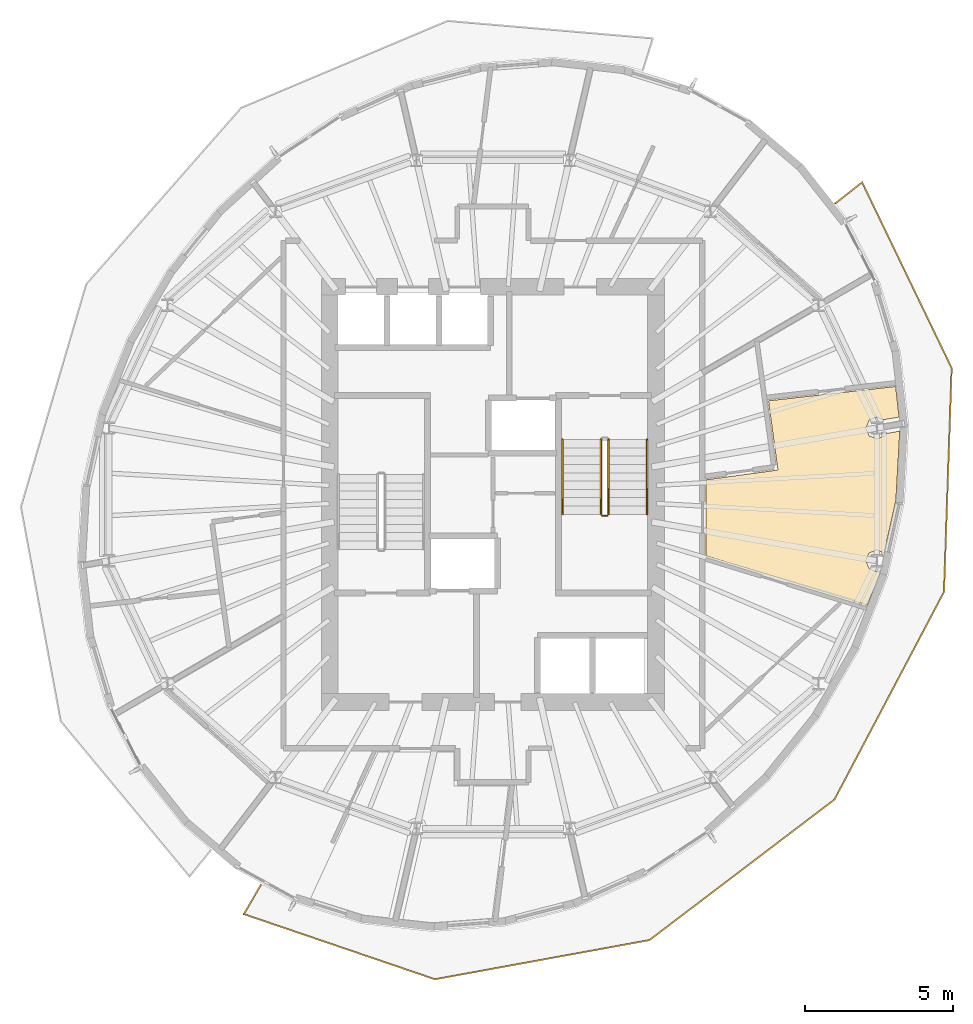
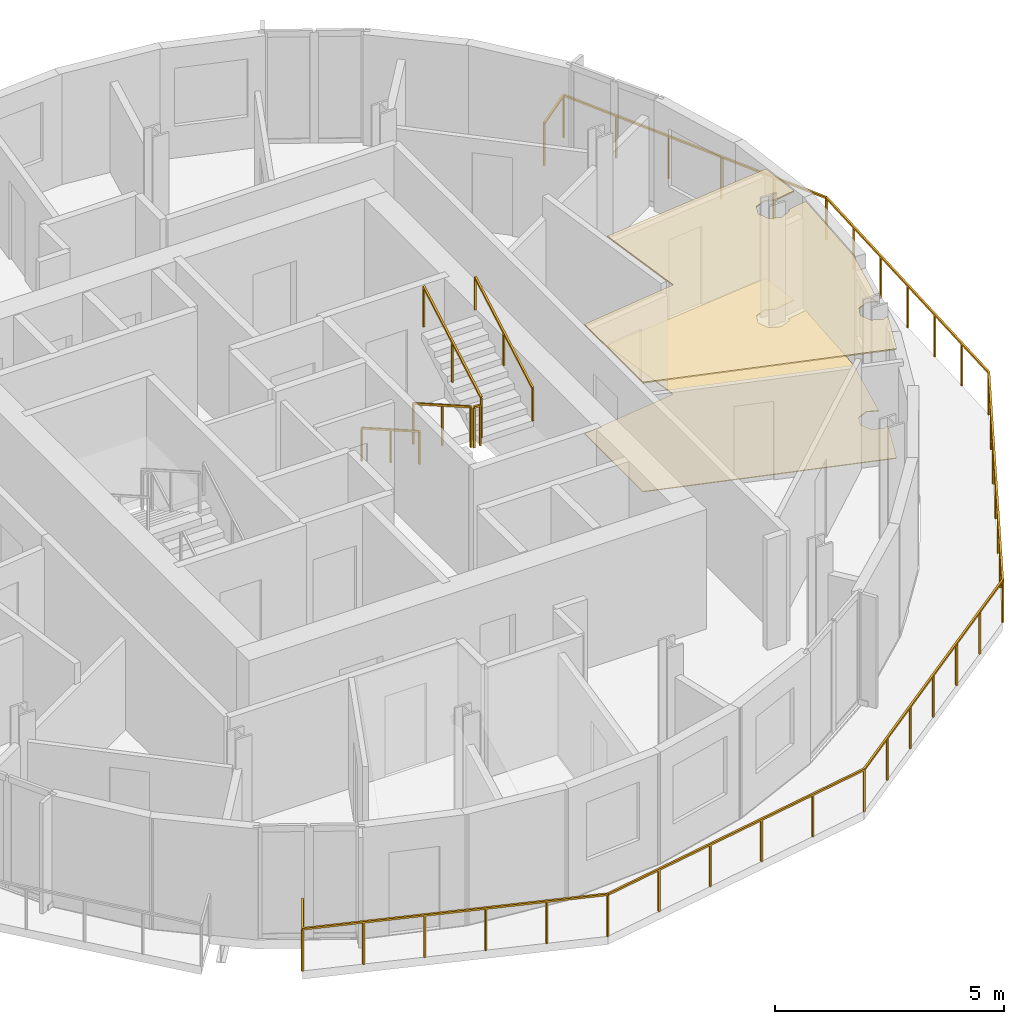
# One storey, part 9 of 11: 6 railings, 2 coverings.
"""IFC4 building model written with IfcOpenShell, lengths in metres."""

from ifc_helpers import new_model, si_unit, direction, frame, origin, origin_2d, place, context, subcontext, project, spatial, polyline, rectangle, outline, extrude, material, layer, layer_set, type_object, element, save


model = new_model("IFC4")

# Units and contexts
model_context = context("Model", 3, precision=1e-05, world=origin(), true_north=direction((0.0, 1.0)))
body_context = subcontext(model_context, "Body", "Model", "MODEL_VIEW")
ifc_project = project(units=[si_unit("LENGTHUNIT", "METRE"), si_unit("AREAUNIT", "SQUARE_METRE"), si_unit("VOLUMEUNIT", "CUBIC_METRE"), si_unit("PLANEANGLEUNIT", "RADIAN"), si_unit("MASSUNIT", "GRAM", prefix="KILO")], contexts=[model_context])

# Site, building, storey
site_placement = place(None, origin())
site = spatial("IfcSite", under=ifc_project, at=site_placement, CompositionType="ELEMENT")
building_placement = place(site_placement, origin())
building = spatial("IfcBuilding", under=site, at=building_placement, Name="Veldorim Arch Residences", CompositionType="ELEMENT")
storey_placement = place(building_placement, frame((0.0, 0.0, 223.840087890625)))
storey = spatial("IfcBuildingStorey", under=building, at=storey_placement, Name="L67", CompositionType="ELEMENT", Elevation=223.840087890625)

# Railings
ifc_material_1 = material(Name="Aluminium", Category="aluminium")
railing_type_1 = type_object("IfcRailingType", Name="Balcony & Terrace Laminated Glass Balustrade 1150", PredefinedType="BALUSTRADE", material=ifc_material_1)
railing_1_placement = place(storey_placement, frame((24.1767578125, 10.8408203125, 0.0)))
element("IfcRailing", 1, at=railing_1_placement, inside=storey, type_object=railing_type_1, Name="L67 crescent balcony safety balustrade B", PredefinedType="BALUSTRADE", context=body_context, shape_type="SweptSolid", body=[
    extrude(rectangle(XDim=0.048095703125, YDim=0.048095703125, at=origin_2d()), frame((0.0, 0.0, 1.1259765625), z_axis=(-0.502391622868, -0.864640189484, 0.0), x_axis=(0.864640189484, -0.502391622868, 0.0)), (0.0, 0.0, 1.0), 1.149658203125),
    extrude(rectangle(XDim=0.048095703125, YDim=0.048095703125, at=origin_2d()), frame((-0.57763671875, -0.994140625, 1.1259765625), z_axis=(0.946524622517, -0.322631583961, 0.0), x_axis=(0.322631583961, 0.946524622517, 0.0)), (0.0, 0.0, 1.0), 6.808837890625),
    extrude(rectangle(XDim=0.048095703125, YDim=0.048095703125, at=origin_2d()), frame((5.8671875, -3.19091796875, 1.1259765625), z_axis=(0.983745959896, 0.179565827452, 0.0), x_axis=(-0.179565827452, 0.983745959896, 0.0)), (0.0, 0.0, 1.0), 7.35693359375),
    extrude(rectangle(XDim=0.048095703125, YDim=0.048095703125, at=origin_2d()), frame((13.1044921875, -1.869873046875, 1.1259765625), z_axis=(0.796345377287, 0.604842161289, 0.0), x_axis=(-0.604842161289, 0.796345377287, 0.0)), (0.0, 0.0, 1.0), 7.83154296875),
    extrude(rectangle(XDim=0.048095703125, YDim=0.048095703125, at=origin_2d()), frame((19.341064453125, 2.866943359375, 1.1259765625), z_axis=(0.466603888338, 0.884466399242, 0.0), x_axis=(-0.884466399242, 0.466603888338, 0.0)), (0.0, 0.0, 1.0), 7.919189453125),
    extrude(rectangle(XDim=0.048095703125, YDim=0.048095703125, at=origin_2d()), frame((23.0361328125, 9.87109375, 1.1259765625), z_axis=(0.034155106442, 0.999416544142, 0.0), x_axis=(-0.999416544142, 0.034155106442, 0.0)), (0.0, 0.0, 1.0), 7.555419921875),
    extrude(rectangle(XDim=0.048095703125, YDim=0.048095703125, at=origin_2d()), frame((23.294189453125, 17.422119140625, 1.1259765625), z_axis=(-0.434350544358, 0.900743917335, 0.0), x_axis=(-0.900743917335, -0.434350544358, 0.0)), (0.0, 0.0, 1.0), 6.956298828125),
    extrude(rectangle(XDim=0.048095703125, YDim=0.048095703125, at=origin_2d()), frame((20.272705078125, 23.68798828125, 1.1259765625), z_axis=(-0.78550730875, -0.618852379732, 0.0), x_axis=(0.618852379732, -0.78550730875, 0.0)), (0.0, 0.0, 1.0), 1.14990234375),
    extrude(rectangle(XDim=0.0419921875, YDim=0.0419921875, at=origin_2d()), origin(), (0.0, 0.0, 1.0), 1.101806640625),
    extrude(rectangle(XDim=0.0419921875, YDim=0.0419921875, at=origin_2d()), frame((-0.57763671875, -0.994140625, 0.0)), (0.0, 0.0, 1.0), 1.101806640625),
    extrude(rectangle(XDim=0.0419921875, YDim=0.0419921875, at=origin_2d()), frame((0.71142578125, -1.43359375, 0.0)), (0.0, 0.0, 1.0), 1.101806640625),
    extrude(rectangle(XDim=0.0419921875, YDim=0.0419921875, at=origin_2d()), frame((2.000244140625, -1.872802734375, 0.0)), (0.0, 0.0, 1.0), 1.101806640625),
    extrude(rectangle(XDim=0.0419921875, YDim=0.0419921875, at=origin_2d()), frame((3.289306640625, -2.312255859375, 0.0)), (0.0, 0.0, 1.0), 1.101806640625),
    extrude(rectangle(XDim=0.0419921875, YDim=0.0419921875, at=origin_2d()), frame((4.578125, -2.75146484375, 0.0)), (0.0, 0.0, 1.0), 1.101806640625),
    extrude(rectangle(XDim=0.0419921875, YDim=0.0419921875, at=origin_2d()), frame((5.8671875, -3.19091796875, 0.0)), (0.0, 0.0, 1.0), 1.101806640625),
    extrude(rectangle(XDim=0.0419921875, YDim=0.0419921875, at=origin_2d()), frame((7.314697265625, -2.9267578125, 0.0)), (0.0, 0.0, 1.0), 1.101806640625),
    extrude(rectangle(XDim=0.0419921875, YDim=0.0419921875, at=origin_2d()), frame((8.76220703125, -2.66259765625, 0.0)), (0.0, 0.0, 1.0), 1.101806640625),
    extrude(rectangle(XDim=0.0419921875, YDim=0.0419921875, at=origin_2d()), frame((10.20947265625, -2.398193359375, 0.0)), (0.0, 0.0, 1.0), 1.101806640625),
    extrude(rectangle(XDim=0.0419921875, YDim=0.0419921875, at=origin_2d()), frame((11.656982421875, -2.134033203125, 0.0)), (0.0, 0.0, 1.0), 1.101806640625),
    extrude(rectangle(XDim=0.0419921875, YDim=0.0419921875, at=origin_2d()), frame((13.1044921875, -1.869873046875, 0.0)), (0.0, 0.0, 1.0), 1.101806640625),
    extrude(rectangle(XDim=0.0419921875, YDim=0.0419921875, at=origin_2d()), frame((14.14404296875, -1.080322265625, 0.0)), (0.0, 0.0, 1.0), 1.101806640625),
    extrude(rectangle(XDim=0.0419921875, YDim=0.0419921875, at=origin_2d()), frame((15.183349609375, -0.291015625, 0.0)), (0.0, 0.0, 1.0), 1.101806640625),
    extrude(rectangle(XDim=0.0419921875, YDim=0.0419921875, at=origin_2d()), frame((16.22265625, 0.49853515625, 0.0)), (0.0, 0.0, 1.0), 1.101806640625),
    extrude(rectangle(XDim=0.0419921875, YDim=0.0419921875, at=origin_2d()), frame((17.26220703125, 1.2880859375, 0.0)), (0.0, 0.0, 1.0), 1.101806640625),
    extrude(rectangle(XDim=0.0419921875, YDim=0.0419921875, at=origin_2d()), frame((18.3017578125, 2.077392578125, 0.0)), (0.0, 0.0, 1.0), 1.101806640625),
    extrude(rectangle(XDim=0.0419921875, YDim=0.0419921875, at=origin_2d()), frame((19.341064453125, 2.866943359375, 0.0)), (0.0, 0.0, 1.0), 1.101806640625),
    extrude(rectangle(XDim=0.0419921875, YDim=0.0419921875, at=origin_2d()), frame((19.95703125, 4.0341796875, 0.0)), (0.0, 0.0, 1.0), 1.101806640625),
    extrude(rectangle(XDim=0.0419921875, YDim=0.0419921875, at=origin_2d()), frame((20.57275390625, 5.20166015625, 0.0)), (0.0, 0.0, 1.0), 1.101806640625),
    extrude(rectangle(XDim=0.0419921875, YDim=0.0419921875, at=origin_2d()), frame((21.1884765625, 6.369140625, 0.0)), (0.0, 0.0, 1.0), 1.101806640625),
    extrude(rectangle(XDim=0.0419921875, YDim=0.0419921875, at=origin_2d()), frame((21.804443359375, 7.536376953125, 0.0)), (0.0, 0.0, 1.0), 1.101806640625),
    extrude(rectangle(XDim=0.0419921875, YDim=0.0419921875, at=origin_2d()), frame((22.42041015625, 8.70361328125, 0.0)), (0.0, 0.0, 1.0), 1.101806640625),
    extrude(rectangle(XDim=0.0419921875, YDim=0.0419921875, at=origin_2d()), frame((23.0361328125, 9.87109375, 0.0)), (0.0, 0.0, 1.0), 1.101806640625),
    extrude(rectangle(XDim=0.0419921875, YDim=0.0419921875, at=origin_2d()), frame((23.0791015625, 11.129638671875, 0.0)), (0.0, 0.0, 1.0), 1.101806640625),
    extrude(rectangle(XDim=0.0419921875, YDim=0.0419921875, at=origin_2d()), frame((23.1220703125, 12.38818359375, 0.0)), (0.0, 0.0, 1.0), 1.101806640625),
    extrude(rectangle(XDim=0.0419921875, YDim=0.0419921875, at=origin_2d()), frame((23.1650390625, 13.646484375, 0.0)), (0.0, 0.0, 1.0), 1.101806640625),
    extrude(rectangle(XDim=0.0419921875, YDim=0.0419921875, at=origin_2d()), frame((23.208251953125, 14.905029296875, 0.0)), (0.0, 0.0, 1.0), 1.101806640625),
    extrude(rectangle(XDim=0.0419921875, YDim=0.0419921875, at=origin_2d()), frame((23.251220703125, 16.16357421875, 0.0)), (0.0, 0.0, 1.0), 1.101806640625),
    extrude(rectangle(XDim=0.0419921875, YDim=0.0419921875, at=origin_2d()), frame((23.294189453125, 17.422119140625, 0.0)), (0.0, 0.0, 1.0), 1.101806640625),
    extrude(rectangle(XDim=0.0419921875, YDim=0.0419921875, at=origin_2d()), frame((22.68994140625, 18.67529296875, 0.0)), (0.0, 0.0, 1.0), 1.101806640625),
    extrude(rectangle(XDim=0.0419921875, YDim=0.0419921875, at=origin_2d()), frame((22.085693359375, 19.928466796875, 0.0)), (0.0, 0.0, 1.0), 1.101806640625),
    extrude(rectangle(XDim=0.0419921875, YDim=0.0419921875, at=origin_2d()), frame((21.481201171875, 21.181640625, 0.0)), (0.0, 0.0, 1.0), 1.101806640625),
    extrude(rectangle(XDim=0.0419921875, YDim=0.0419921875, at=origin_2d()), frame((20.876953125, 22.434814453125, 0.0)), (0.0, 0.0, 1.0), 1.101806640625),
    extrude(rectangle(XDim=0.0419921875, YDim=0.0419921875, at=origin_2d()), frame((20.272705078125, 23.68798828125, 0.0)), (0.0, 0.0, 1.0), 1.101806640625),
    extrude(rectangle(XDim=0.0419921875, YDim=0.0419921875, at=origin_2d()), frame((19.369384765625, 22.976318359375, 0.0)), (0.0, 0.0, 1.0), 1.101806640625),
])
ifc_material_2 = material(Name="Steel S355", Category="steel")
railing_type_2 = type_object("IfcRailingType", Name="Galvanised Steel Stair Safety Guardrail 1100", PredefinedType="GUARDRAIL", material=ifc_material_2)
railing_2_placement = place(storey_placement, frame((35.639892578125, 25.85009765625, 0.159912109375)))
element("IfcRailing", 2, at=railing_2_placement, inside=storey, type_object=railing_type_2, Name="L67 ST-2 stair guard 1", PredefinedType="GUARDRAIL", context=body_context, shape_type="SweptSolid", body=[
    extrude(rectangle(XDim=0.048095703125, YDim=0.048095703125, at=origin_2d()), frame((0.0, 0.0, 1.076171875), z_axis=(0.0, -0.868253494771, 0.496120820787), x_axis=(1.0, 0.0, 0.0)), (0.0, 0.0, 1.0), 2.90234375),
    extrude(rectangle(XDim=0.0419921875, YDim=0.0419921875, at=origin_2d()), origin(), (0.0, 0.0, 1.0), 1.052001953125),
    extrude(rectangle(XDim=0.0419921875, YDim=0.0419921875, at=origin_2d()), frame((0.0, -1.260009765625, 0.719970703125)), (0.0, 0.0, 1.0), 1.052001953125),
    extrude(rectangle(XDim=0.0419921875, YDim=0.0419921875, at=origin_2d()), frame((0.0, -2.52001953125, 1.43994140625)), (0.0, 0.0, 1.0), 1.052001953125),
])
railing_3_placement = place(storey_placement, frame((35.68994140625, 23.280029296875, 1.599853515625)))
element("IfcRailing", 3, at=railing_3_placement, inside=storey, type_object=railing_type_2, Name="L67 ST-2 stair guard 2", PredefinedType="GUARDRAIL", context=body_context, shape_type="SweptSolid", body=[
    extrude(rectangle(XDim=0.048095703125, YDim=0.048095703125, at=origin_2d()), frame((0.0, 0.0, 1.076171875), z_axis=(1.0, 0.0, 0.0), x_axis=(0.0, 1.0, 0.0)), (0.0, 0.0, 1.0), 0.16015625),
    extrude(rectangle(XDim=0.0419921875, YDim=0.0419921875, at=origin_2d()), origin(), (0.0, 0.0, 1.0), 1.052001953125),
    extrude(rectangle(XDim=0.0419921875, YDim=0.0419921875, at=origin_2d()), frame((0.16015625, 0.0, 0.0)), (0.0, 0.0, 1.0), 1.052001953125),
])
railing_4_placement = place(storey_placement, frame((35.89990234375, 23.330078125, 1.760009765625)))
element("IfcRailing", 4, at=railing_4_placement, inside=storey, type_object=railing_type_2, Name="L67 ST-2 stair guard 3", PredefinedType="GUARDRAIL", context=body_context, shape_type="SweptSolid", body=[
    extrude(rectangle(XDim=0.048095703125, YDim=0.048095703125, at=origin_2d()), frame((0.0, 0.0, 1.076171875), z_axis=(0.0, 0.868253494771, 0.496120820787), x_axis=(-1.0, 0.0, 0.0)), (0.0, 0.0, 1.0), 2.90234375),
    extrude(rectangle(XDim=0.0419921875, YDim=0.0419921875, at=origin_2d()), origin(), (0.0, 0.0, 1.0), 1.052001953125),
    extrude(rectangle(XDim=0.0419921875, YDim=0.0419921875, at=origin_2d()), frame((0.0, 1.260009765625, 0.719970703125)), (0.0, 0.0, 1.0), 1.052001953125),
    extrude(rectangle(XDim=0.0419921875, YDim=0.0419921875, at=origin_2d()), frame((0.0, 2.52001953125, 1.43994140625)), (0.0, 0.0, 1.0), 1.052001953125),
])

# Coverings
ifc_material_3 = material(Name="Acoustic Gypsum & Mineral Fibre", Category="gypsum")
ifc_layer_1 = layer(ifc_material_3, 0.034912109375, Name="Perforated Acoustic Mineral-Fibre Ceiling 35")
ifc_layer_set_1 = layer_set([ifc_layer_1], Name="Acoustic Gypsum & Mineral Fibre")
covering_type_1 = type_object("IfcCoveringType", Name="Perforated Acoustic Mineral-Fibre Ceiling 35", PredefinedType="CEILING", material=ifc_layer_set_1)
covering_1_placement = place(storey_placement, frame((0.0, 0.0, 2.905029296875)))
element("IfcCovering", 5, at=covering_1_placement, inside=storey, type_object=covering_type_1, Name="L67 acoustic suspended ceiling 02", PredefinedType="CEILING", context=body_context, shape_type="SweptSolid", body=[
    extrude(outline(polyline([(45.031005859375, 21.291015625), (44.629150390625, 20.26806640625), (39.179931640625, 21.9326171875), (39.179931640625, 24.49169921875), (41.6103515625, 24.8232421875), (41.291748046875, 27.156982421875), (45.578857421875, 27.63916015625), (45.6953125, 26.60791015625), (45.1689453125, 26.516845703125), (44.9462890625, 26.60888671875), (44.685302734375, 26.500732421875), (44.576904296875, 26.239501953125), (44.685302734375, 25.978515625), (44.9462890625, 25.8701171875), (45.20751953125, 25.978515625), (45.23779296875, 26.05126953125), (45.71826171875, 26.134521484375), (45.586669921875, 23.80029296875), (45.194091796875, 22.027099609375), (44.9462890625, 22.1298828125), (44.685302734375, 22.021484375), (44.576904296875, 21.760498046875), (44.685302734375, 21.499267578125), (44.9462890625, 21.39111328125), (45.063720703125, 21.439697265625), (45.031005859375, 21.291015625)])), origin(), (0.0, 0.0, 1.0), 0.034912109375),
])
ifc_material_4 = material(Name="Porcelain Ceramic Tile", Category="ceramic")
ifc_layer_2 = layer(ifc_material_4, 0.02001953125, Name="Slip-Resistant Porcelain & Vinyl Floor Finish 20")
ifc_layer_set_2 = layer_set([ifc_layer_2], Name="Porcelain Ceramic Tile")
covering_type_2 = type_object("IfcCoveringType", Name="Slip-Resistant Porcelain & Vinyl Floor Finish 20", PredefinedType="FLOORING", material=ifc_layer_set_2)
covering_2_placement = place(storey_placement, origin())
element("IfcCovering", 6, at=covering_2_placement, inside=storey, type_object=covering_type_2, Name="L67 porcelain floor finish 02", PredefinedType="FLOORING", context=body_context, shape_type="SweptSolid", body=[
    extrude(outline(polyline([(45.031005859375, 21.291015625), (44.629150390625, 20.26806640625), (39.179931640625, 21.9326171875), (39.179931640625, 24.49169921875), (41.6103515625, 24.8232421875), (41.291748046875, 27.156982421875), (45.578857421875, 27.63916015625), (45.6953125, 26.60791015625), (45.1689453125, 26.516845703125), (44.9462890625, 26.60888671875), (44.685302734375, 26.500732421875), (44.576904296875, 26.239501953125), (44.685302734375, 25.978515625), (44.9462890625, 25.8701171875), (45.20751953125, 25.978515625), (45.23779296875, 26.05126953125), (45.71826171875, 26.134521484375), (45.586669921875, 23.80029296875), (45.194091796875, 22.027099609375), (44.9462890625, 22.1298828125), (44.685302734375, 22.021484375), (44.576904296875, 21.760498046875), (44.685302734375, 21.499267578125), (44.9462890625, 21.39111328125), (45.063720703125, 21.439697265625), (45.031005859375, 21.291015625)])), origin(), (0.0, 0.0, 1.0), 0.02001953125),
])

# Railings
ifc_material_5 = material(Name="Stainless Steel", Category="steel")
railing_type_3 = type_object("IfcRailingType", Name="Tubular Steel Continuous Wall Handrail 900", PredefinedType="HANDRAIL", material=ifc_material_5)
railing_5_placement = place(storey_placement, frame((34.340087890625, 25.85009765625, 0.159912109375)))
element("IfcRailing", 7, at=railing_5_placement, inside=storey, type_object=railing_type_3, Name="L67 ST-2 stair handrail 1", PredefinedType="HANDRAIL", context=body_context, shape_type="SweptSolid", body=[
    extrude(rectangle(XDim=0.048095703125, YDim=0.048095703125, at=origin_2d()), frame((0.0, 0.0, 0.8759765625), z_axis=(0.0, -0.868253494771, 0.496120820787), x_axis=(1.0, 0.0, 0.0)), (0.0, 0.0, 1.0), 2.90234375),
    extrude(rectangle(XDim=0.0419921875, YDim=0.0419921875, at=origin_2d()), origin(), (0.0, 0.0, 1.0), 0.851806640625),
    extrude(rectangle(XDim=0.0419921875, YDim=0.0419921875, at=origin_2d()), frame((0.0, -1.260009765625, 0.719970703125)), (0.0, 0.0, 1.0), 0.851806640625),
    extrude(rectangle(XDim=0.0419921875, YDim=0.0419921875, at=origin_2d()), frame((0.0, -2.52001953125, 1.43994140625)), (0.0, 0.0, 1.0), 0.851806640625),
])
railing_6_placement = place(storey_placement, frame((37.199951171875, 23.330078125, 1.760009765625)))
element("IfcRailing", 8, at=railing_6_placement, inside=storey, type_object=railing_type_3, Name="L67 ST-2 stair handrail 2", PredefinedType="HANDRAIL", context=body_context, shape_type="SweptSolid", body=[
    extrude(rectangle(XDim=0.048095703125, YDim=0.048095703125, at=origin_2d()), frame((0.0, 0.0, 0.8759765625), z_axis=(0.0, 0.868253494771, 0.496120820787), x_axis=(-1.0, 0.0, 0.0)), (0.0, 0.0, 1.0), 2.90234375),
    extrude(rectangle(XDim=0.0419921875, YDim=0.0419921875, at=origin_2d()), origin(), (0.0, 0.0, 1.0), 0.851806640625),
    extrude(rectangle(XDim=0.0419921875, YDim=0.0419921875, at=origin_2d()), frame((0.0, 1.260009765625, 0.719970703125)), (0.0, 0.0, 1.0), 0.851806640625),
    extrude(rectangle(XDim=0.0419921875, YDim=0.0419921875, at=origin_2d()), frame((0.0, 2.52001953125, 1.43994140625)), (0.0, 0.0, 1.0), 0.851806640625),
])

save(model, "model.ifc")
